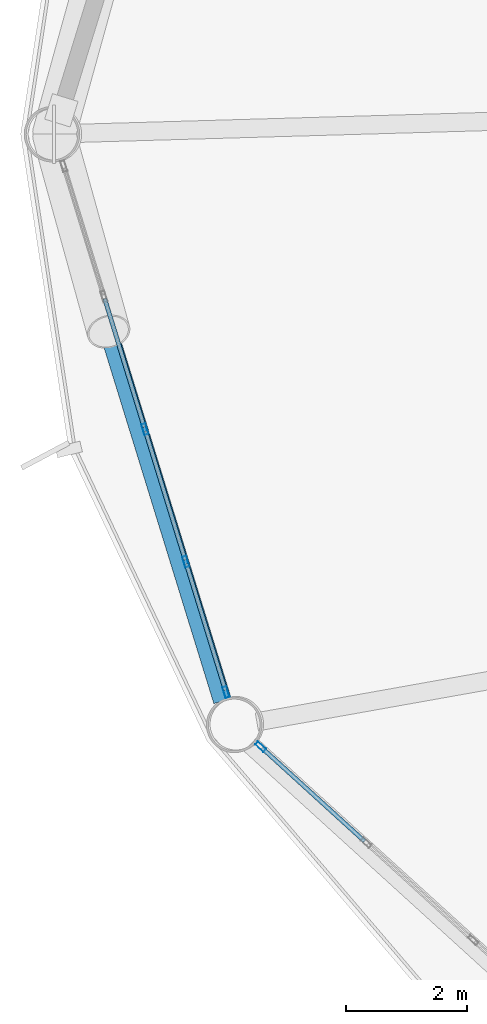
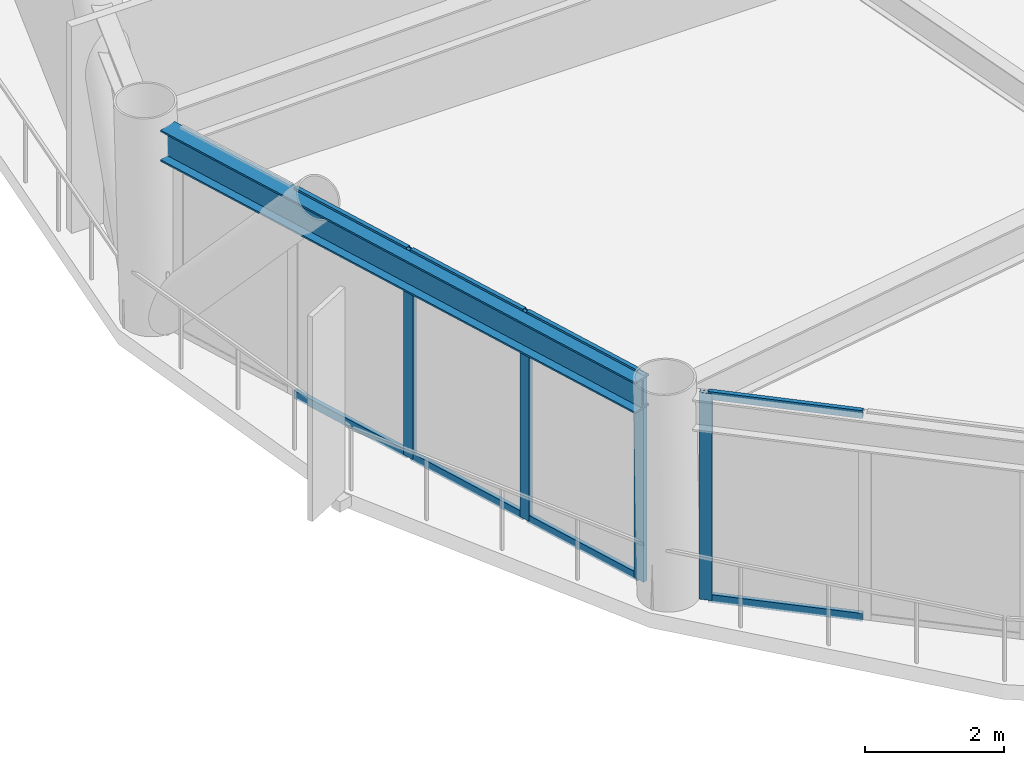
# One storey, part 4 of 25: 12 members, 1 beam, 2 elements without a shape of their own.
"""IFC4 building model written with IfcOpenShell, lengths in metres."""

from ifc_helpers import new_model, si_unit, direction, frame, origin, origin_2d, place, context, subcontext, project, spatial, hollow_rectangle, i_section, extrude, material, layer, layer_set, material_profile, profile_set, type_object, element, aggregate, save


model = new_model("IFC4")

# Units and contexts
model_context = context("Model", 3, precision=1e-05, world=origin(), true_north=direction((0.0, 1.0)))
body_context = subcontext(model_context, "Body", "Model", "MODEL_VIEW")
ifc_project = project(units=[si_unit("LENGTHUNIT", "METRE"), si_unit("AREAUNIT", "SQUARE_METRE"), si_unit("VOLUMEUNIT", "CUBIC_METRE"), si_unit("PLANEANGLEUNIT", "RADIAN"), si_unit("MASSUNIT", "GRAM", prefix="KILO")], contexts=[model_context])

# Site, building, storey
site_placement = place(None, origin())
site = spatial("IfcSite", under=ifc_project, at=site_placement, CompositionType="ELEMENT")
building_placement = place(site_placement, origin())
building = spatial("IfcBuilding", under=site, at=building_placement, Name="Varnakorn Sky Granary", CompositionType="ELEMENT")
storey_placement = place(building_placement, frame((0.0, 0.0, 62.699951171875)))
storey = spatial("IfcBuildingStorey", under=building, at=storey_placement, Name="L15", CompositionType="ELEMENT", Elevation=62.699951171875)

# Beam
ifc_material_1 = material(Name="Steel S355JR", Category="steel")
ifc_material_profile_1 = material_profile(ifc_material_1, i_section(OverallWidth=0.300048828125, OverallDepth=0.550048828125, WebThickness=0.014892578125, FlangeThickness=0.029052734375, at=origin_2d()), Name="HE 550 B")
ifc_profile_set_1 = profile_set([ifc_material_profile_1], Name="Steel S355JR")
beam_type = type_object("IfcBeamType", Name="BM-SPD-Z1", PredefinedType="SPANDREL", material=ifc_profile_set_1)
beam_placement = place(storey_placement, frame((-22.978759765625, -0.42236328125, 3.364990234375), z_axis=(0.294795272919, -0.955560436113, 0.0), x_axis=(0.955560436113, 0.294795272919, 0.0)))
element("IfcBeam", 1, at=beam_placement, inside=storey, type_object=beam_type, Name="Perimeter Spandrel Ring Beam RB07 L15", PredefinedType="SPANDREL", context=body_context, shape_type="SweptSolid", body=[
    extrude(i_section(OverallWidth=0.300048828125, OverallDepth=0.550048828125, WebThickness=0.014892578125, FlangeThickness=0.029052734375, at=origin_2d()), origin(), (0.0, 0.0, 1.0), 9.33349609375),
])

# Curtain wall, members
ifc_material_2 = material(Name="Anodised Bronze Aluminium Alloy 6063-T6", Category="aluminium")
ifc_layer = layer(ifc_material_2, 0.18994140625, Name="Anodised Bronze Aluminium Alloy 6063-T6")
ifc_layer_set = layer_set([ifc_layer], Name="Anodised Bronze Aluminium Alloy 6063-T6")
curtain_wall_type = type_object("IfcCurtainWallType", Name="CW-FRM-1", PredefinedType="USERDEFINED", material=ifc_layer_set)
curtain_wall_1_placement = place(storey_placement, origin())
curtain_wall_1 = element("IfcCurtainWall", 2, at=curtain_wall_1_placement, inside=storey, type_object=curtain_wall_type, Name="Unitised Curtain Wall CW3 CW-L15-B07", ObjectType="CURTAIN WALL", PredefinedType="USERDEFINED")
ifc_material_profile_2 = material_profile(ifc_material_2, hollow_rectangle(XDim=0.070068359375, YDim=0.18505859375, WallThickness=0.00390625, at=origin_2d()), Name="ALU MULL 70x185")
ifc_profile_set_2 = profile_set([ifc_material_profile_2], Name="Anodised Bronze Aluminium Alloy 6063-T6")
member_type_1 = type_object("IfcMemberType", Name="CW-FRM-1-MULL", PredefinedType="MULLION", material=ifc_profile_set_2)
member_1_placement = place(storey_placement, frame((-20.17041015625, -9.196533203125, 0.0), z_axis=(0.0, 0.0, 1.0), x_axis=(-0.955606663525, -0.294645387928, 0.0)))
member_1 = element("IfcMember", 3, at=member_1_placement, type_object=member_type_1, Name="CW3 mullion 1", PredefinedType="MULLION", context=body_context, shape_type="SweptSolid", body=[
    extrude(hollow_rectangle(XDim=0.070068359375, YDim=0.18505859375, WallThickness=0.00390625, at=origin_2d()), origin(), (0.0, 0.0, 1.0), 3.64013671875),
])
member_2_placement = place(storey_placement, frame((-20.83349609375, -7.0458984375, 0.0), z_axis=(0.0, 0.0, 1.0), x_axis=(-0.955606663525, -0.294645387928, 0.0)))
member_2 = element("IfcMember", 4, at=member_2_placement, type_object=member_type_1, Name="CW3 mullion 2", PredefinedType="MULLION", context=body_context, shape_type="SweptSolid", body=[
    extrude(hollow_rectangle(XDim=0.070068359375, YDim=0.18505859375, WallThickness=0.00390625, at=origin_2d()), origin(), (0.0, 0.0, 1.0), 3.64013671875),
])
member_3_placement = place(storey_placement, frame((-21.5068359375, -4.862060546875, 0.0), z_axis=(0.0, 0.0, 1.0), x_axis=(-0.955606663525, -0.294645387928, 0.0)))
member_3 = element("IfcMember", 5, at=member_3_placement, type_object=member_type_1, Name="CW3 mullion 3", PredefinedType="MULLION", context=body_context, shape_type="SweptSolid", body=[
    extrude(hollow_rectangle(XDim=0.070068359375, YDim=0.18505859375, WallThickness=0.00390625, at=origin_2d()), origin(), (0.0, 0.0, 1.0), 3.64013671875),
])

# Curtain wall, member
curtain_wall_2_placement = place(storey_placement, origin())
curtain_wall_2 = element("IfcCurtainWall", 6, at=curtain_wall_2_placement, inside=storey, type_object=curtain_wall_type, Name="Unitised Curtain Wall CW3 CW-L15-B08", ObjectType="CURTAIN WALL", PredefinedType="USERDEFINED")
member_4_placement = place(storey_placement, frame((-19.599609375, -10.095458984375, 0.0), z_axis=(0.0, 0.0, 1.0), x_axis=(-0.673050871898, -0.739596189712, 0.0)))
member_4 = element("IfcMember", 7, at=member_4_placement, type_object=member_type_1, Name="CW3 mullion 5", PredefinedType="MULLION", context=body_context, shape_type="SweptSolid", body=[
    extrude(hollow_rectangle(XDim=0.070068359375, YDim=0.18505859375, WallThickness=0.00390625, at=origin_2d()), origin(), (0.0, 0.0, 1.0), 3.64013671875),
])

# Member
ifc_material_profile_3 = material_profile(ifc_material_2, hollow_rectangle(XDim=0.070068359375, YDim=0.139892578125, WallThickness=0.00341796875, at=origin_2d()), Name="ALU TRAN 70x140")
ifc_profile_set_3 = profile_set([ifc_material_profile_3], Name="Anodised Bronze Aluminium Alloy 6063-T6")
member_type_2 = type_object("IfcMemberType", Name="CW-FRM-1-TRAN", PredefinedType="USERDEFINED", material=ifc_profile_set_3)
member_5_placement = place(storey_placement, frame((-20.1806640625, -9.1630859375, 0.03515625), z_axis=(-0.29468372837, 0.955594841046, 0.0), x_axis=(-0.955594841046, -0.29468372837, 0.0)))
member_5 = element("IfcMember", 8, at=member_5_placement, type_object=member_type_2, Name="CW3 transom 1.1", ObjectType="TRANSOM", PredefinedType="USERDEFINED", context=body_context, shape_type="SweptSolid", body=[
    extrude(hollow_rectangle(XDim=0.070068359375, YDim=0.139892578125, WallThickness=0.00341796875, at=origin_2d()), origin(), (0.0, 0.0, 1.0), 2.1806640625),
])

member_6_placement = place(storey_placement, frame((-20.1806640625, -9.1630859375, 3.60498046875), z_axis=(-0.29468372837, 0.955594841046, 0.0), x_axis=(-0.955594841046, -0.29468372837, 0.0)))
member_6 = element("IfcMember", 9, at=member_6_placement, type_object=member_type_2, Name="CW3 transom 1.2", ObjectType="TRANSOM", PredefinedType="USERDEFINED", context=body_context, shape_type="SweptSolid", body=[
    extrude(hollow_rectangle(XDim=0.070068359375, YDim=0.139892578125, WallThickness=0.00341796875, at=origin_2d()), origin(), (0.0, 0.0, 1.0), 2.1806640625),
])

member_7_placement = place(storey_placement, frame((-20.84375, -7.012451171875, 0.03515625), z_axis=(-0.294689836062, 0.955592957551, 0.0), x_axis=(-0.955592957551, -0.294689836062, 0.0)))
member_7 = element("IfcMember", 10, at=member_7_placement, type_object=member_type_2, Name="CW3 transom 2.1", ObjectType="TRANSOM", PredefinedType="USERDEFINED", context=body_context, shape_type="SweptSolid", body=[
    extrude(hollow_rectangle(XDim=0.070068359375, YDim=0.139892578125, WallThickness=0.00341796875, at=origin_2d()), origin(), (0.0, 0.0, 1.0), 2.21533203125),
])

member_8_placement = place(storey_placement, frame((-20.84375, -7.012451171875, 3.60498046875), z_axis=(-0.294689836062, 0.955592957551, 0.0), x_axis=(-0.955592957551, -0.294689836062, 0.0)))
member_8 = element("IfcMember", 11, at=member_8_placement, type_object=member_type_2, Name="CW3 transom 2.2", ObjectType="TRANSOM", PredefinedType="USERDEFINED", context=body_context, shape_type="SweptSolid", body=[
    extrude(hollow_rectangle(XDim=0.070068359375, YDim=0.139892578125, WallThickness=0.00341796875, at=origin_2d()), origin(), (0.0, 0.0, 1.0), 2.21533203125),
])

member_9_placement = place(storey_placement, frame((-21.517333984375, -4.82861328125, 0.03515625), z_axis=(-0.294558173427, 0.955633550304, 0.0), x_axis=(-0.955633550304, -0.294558173427, 0.0)))
member_9 = element("IfcMember", 12, at=member_9_placement, type_object=member_type_2, Name="CW3 transom 3.1", ObjectType="TRANSOM", PredefinedType="USERDEFINED", context=body_context, shape_type="SweptSolid", body=[
    extrude(hollow_rectangle(XDim=0.070068359375, YDim=0.139892578125, WallThickness=0.00341796875, at=origin_2d()), origin(), (0.0, 0.0, 1.0), 2.215576171875),
])

member_10_placement = place(storey_placement, frame((-21.517333984375, -4.82861328125, 3.60498046875), z_axis=(-0.294558173427, 0.955633550304, 0.0), x_axis=(-0.955633550304, -0.294558173427, 0.0)))
member_10 = element("IfcMember", 13, at=member_10_placement, type_object=member_type_2, Name="CW3 transom 3.2", ObjectType="TRANSOM", PredefinedType="USERDEFINED", context=body_context, shape_type="SweptSolid", body=[
    extrude(hollow_rectangle(XDim=0.070068359375, YDim=0.139892578125, WallThickness=0.00341796875, at=origin_2d()), origin(), (0.0, 0.0, 1.0), 2.215576171875),
])

aggregate(curtain_wall_1, [member_1, member_2, member_3, member_5, member_6, member_7, member_8, member_9, member_10])

member_11_placement = place(storey_placement, frame((-17.886962890625, -11.654052734375, 0.03515625), z_axis=(-0.739615443483, 0.673029713877, 0.0), x_axis=(-0.673029713877, -0.739615443483, 0.0)))
member_11 = element("IfcMember", 14, at=member_11_placement, type_object=member_type_2, Name="CW3 transom 4.1", ObjectType="TRANSOM", PredefinedType="USERDEFINED", context=body_context, shape_type="SweptSolid", body=[
    extrude(hollow_rectangle(XDim=0.070068359375, YDim=0.139892578125, WallThickness=0.00341796875, at=origin_2d()), origin(), (0.0, 0.0, 1.0), 2.280517578125),
])

member_12_placement = place(storey_placement, frame((-17.886962890625, -11.654052734375, 3.60498046875), z_axis=(-0.739615443483, 0.673029713877, 0.0), x_axis=(-0.673029713877, -0.739615443483, 0.0)))
member_12 = element("IfcMember", 15, at=member_12_placement, type_object=member_type_2, Name="CW3 transom 4.2", ObjectType="TRANSOM", PredefinedType="USERDEFINED", context=body_context, shape_type="SweptSolid", body=[
    extrude(hollow_rectangle(XDim=0.070068359375, YDim=0.139892578125, WallThickness=0.00341796875, at=origin_2d()), origin(), (0.0, 0.0, 1.0), 2.280517578125),
])

aggregate(curtain_wall_2, [member_4, member_11, member_12])

save(model, "model.ifc")
